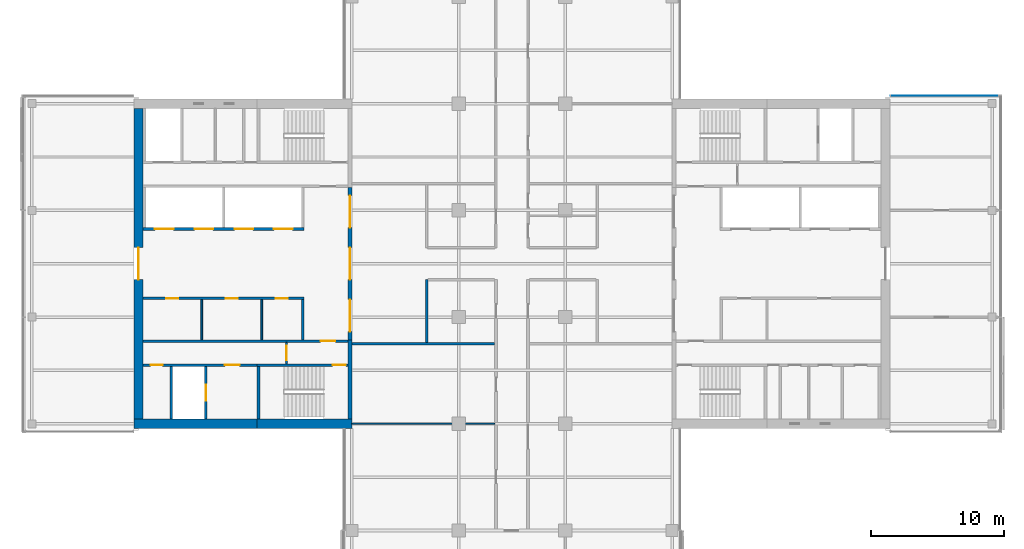
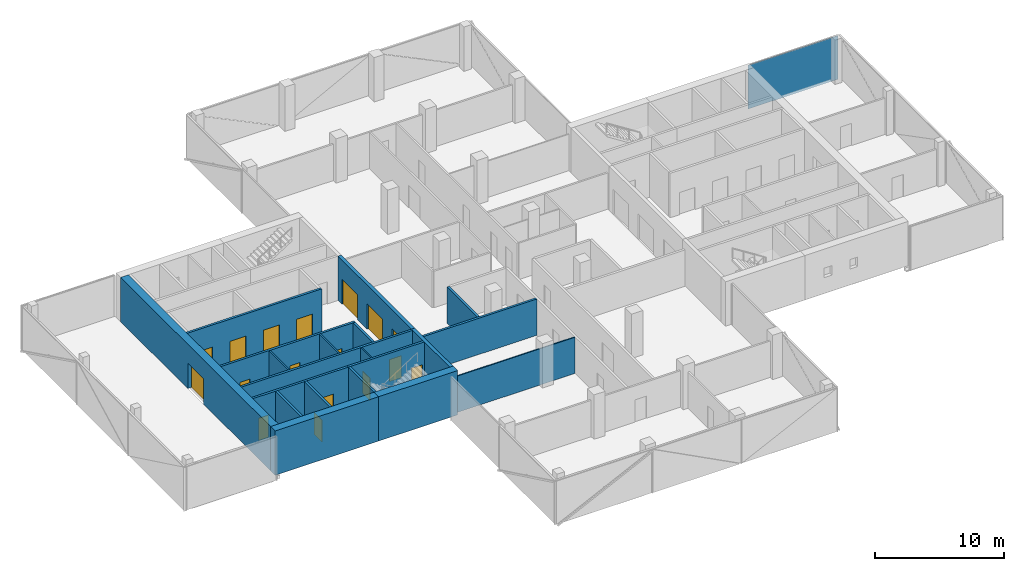
# One storey, part 13 of 22: 20 walls, 17 doors, 1 plate, 17 openings, 1 element without a shape of its own.
"""IFC4 building model written with IfcOpenShell, lengths in metres."""

from ifc_helpers import new_model, si_unit, direction, frame, frame_2d, origin, place, context, subcontext, project, spatial, polyline, rectangle, outline, extrude, material, layer, layer_set, constituent, constituent_set, type_object, element, fill, aggregate, save


model = new_model("IFC4")

# Units and contexts
model_context = context("Model", 3, precision=1e-05, world=origin(), true_north=direction((0.0, 1.0)))
body_context = subcontext(model_context, "Body", "Model", "MODEL_VIEW")
ifc_project = project(units=[si_unit("LENGTHUNIT", "METRE"), si_unit("AREAUNIT", "SQUARE_METRE"), si_unit("VOLUMEUNIT", "CUBIC_METRE"), si_unit("PLANEANGLEUNIT", "RADIAN"), si_unit("MASSUNIT", "GRAM", prefix="KILO")], contexts=[model_context])

# Site, building, storey
site_placement = place(None, origin())
site = spatial("IfcSite", under=ifc_project, at=site_placement, CompositionType="ELEMENT")
building_placement = place(site_placement, origin())
building = spatial("IfcBuilding", under=site, at=building_placement, Name="Crosswind Convention Tower", CompositionType="ELEMENT")
storey_placement = place(building_placement, frame((0.0, 0.0, 146.300048828125)))
storey = spatial("IfcBuildingStorey", under=building, at=storey_placement, Name="L30", CompositionType="ELEMENT", Elevation=146.300048828125)

# Curtain wall, plate
ifc_material_1 = material(Name="Aluminium unitised curtain wall", Category="aluminium")
curtain_wall_type = type_object("IfcCurtainWallType", Name="CORE END SLOT WALL 160", PredefinedType="USERDEFINED", material=ifc_material_1)
curtain_wall_placement = place(storey_placement, origin())
curtain_wall = element("IfcCurtainWall", 1, at=curtain_wall_placement, inside=storey, type_object=curtain_wall_type, Name="CW6 L30 E-N.1-1 slot", ObjectType="UNITISED", PredefinedType="USERDEFINED")
ifc_material_2 = material(Name="Laminated insulating glass unit", Category="glass")
ifc_layer_1 = layer(ifc_material_2, 0.02587890625)
ifc_layer_set_1 = layer_set([ifc_layer_1], Name="TRIANGULAR GLASS PANEL 26")
plate_type = type_object("IfcPlateType", Name="TRIANGULAR GLASS PANEL 26", PredefinedType="CURTAIN_PANEL", material=ifc_layer_set_1)
plate_placement = place(storey_placement, frame((161.449951171875, 112.60693359375, -0.300048828125), z_axis=(0.0, 0.999999915205, 0.00041181312), x_axis=(-1.0, 0.0, 0.0)))
plate = element("IfcPlate", 2, at=plate_placement, type_object=plate_type, Name="CW6 panel 1.1", PredefinedType="CURTAIN_PANEL", context=body_context, shape_type="SweptSolid", body=[
    extrude(outline(polyline([(0.0, 0.0), (8.050048828125, 0.0), (8.050048828125, 4.149902695641108), (0.0, 4.149902695641108), (0.0, 0.0)])), origin(), (0.0, 0.0, -1.0), 0.02587890625),
])
aggregate(curtain_wall, [plate])

# Walls
ifc_material_3 = material(Name="Concrete blockwork", Category="masonry")
ifc_layer_2 = layer(ifc_material_3, 0.199951171875)
ifc_layer_set_2 = layer_set([ifc_layer_2], Name="COMPARTMENT WALL 200 BLOCKWORK")
wall_type_1 = type_object("IfcWallType", Name="COMPARTMENT WALL 200 BLOCKWORK", PredefinedType="SOLIDWALL", material=ifc_layer_set_2)
wall_1_placement = place(storey_placement, frame((118.60009765625, 94.10009765625, 0.0), z_axis=(0.0, 0.0, 1.0), x_axis=(0.0, 1.0, 0.0)))
element("IfcWall", 3, at=wall_1_placement, inside=storey, type_object=wall_type_1, Name="Compartment wall WT42", PredefinedType="SOLIDWALL", context=body_context, shape_type="SweptSolid", body=[
    extrude(rectangle(XDim=4.699951171875, YDim=0.199951171875, at=frame_2d((2.35009765625, 0.0))), origin(), (0.0, 0.0, 1.0), 3.436279296875),
])
wall_2_placement = place(storey_placement, frame((113.0, 94.0, 0.0), z_axis=(0.0, 0.0, 1.0), x_axis=(1.0, 0.0, 0.0)))
element("IfcWall", 4, at=wall_2_placement, inside=storey, type_object=wall_type_1, Name="Compartment wall WT42", PredefinedType="SOLIDWALL", context=body_context, shape_type="SweptSolid", body=[
    extrude(rectangle(XDim=10.699951171875, YDim=0.199951171875, at=frame_2d((5.35009765625, 0.0))), origin(), (0.0, 0.0, 1.0), 3.436279296875),
])

# Wall, opening, door
ifc_material_4 = material(Name="Concrete C60/75", Category="concrete")
ifc_layer_3 = layer(ifc_material_4, 0.699951171875)
ifc_layer_set_3 = layer_set([ifc_layer_3], Name="Concrete C60/75")
wall_type_2 = type_object("IfcWallType", Name="Concrete core wall 700", PredefinedType="SHEAR", material=ifc_layer_set_3)
wall_3_placement = place(storey_placement, frame((97.0, 111.64990234375, 0.0), z_axis=(0.0, 0.0, 1.0), x_axis=(0.0, -1.0, 0.0)))
wall_3 = element("IfcWall", 5, at=wall_3_placement, inside=storey, type_object=wall_type_2, Name="Wall O W L30", PredefinedType="SHEAR", context=body_context, shape_type="SweptSolid", body=[
    extrude(rectangle(XDim=23.2998046875, YDim=0.699951171875, at=frame_2d((11.64990234375, 0.0))), origin(), (0.0, 0.0, 1.0), 4.199951171875),
])
opening_1_placement = place(wall_3_placement, frame((10.449951171875, 0.0, 0.0)))
opening_1 = element("IfcOpeningElement", 6, at=opening_1_placement, cuts=wall_3, Name="Opening D100", PredefinedType="OPENING", context=body_context, shape_type="SweptSolid", body=[
    extrude(rectangle(XDim=2.39990234375, YDim=2.39990234375, at=frame_2d((1.199951171875, 1.199951171875))), frame((0.0, 0.35986328125, 0.0), z_axis=(0.0, -1.0, 0.0), x_axis=(1.0, 0.0, 0.0)), (0.0, 0.0, 1.0), 0.719970703125),
])
ifc_material_5 = material(Name="Steel fire door with glazed vision panels", Category="steel")
door_type_1 = type_object("IfcDoorType", Name="Fire-rated double door 2400x2400", OperationType="DOUBLE_DOOR_SINGLE_SWING", PredefinedType="DOOR", material=ifc_material_5)
door_1_placement = place(opening_1_placement, frame((2.39990234375, 0.0, 0.0), z_axis=(0.0, 0.0, 1.0), x_axis=(-1.0, 0.0, 0.0)))
door_1 = element("IfcDoor", 7, at=door_1_placement, inside=storey, type_object=door_type_1, Name="Lobby outer door L30", ObjectType="D100", OperationType="DOUBLE_DOOR_SINGLE_SWING", OverallHeight=2.39990234375, OverallWidth=2.39990234375, PredefinedType="DOOR", context=body_context, shape_type="SweptSolid", body=[
    extrude(rectangle(XDim=2.39990234375, YDim=2.39990234375, at=frame_2d((1.199951171875, 1.199951171875))), frame((0.0, 0.02490234375, 0.0), z_axis=(0.0, -1.0, 0.0), x_axis=(1.0, 0.0, 0.0)), (0.0, 0.0, 1.0), 0.050048828125),
])
fill(opening_1, door_1)

# Wall, openings, doors
ifc_material_6 = material(Name="Concrete C50/60", Category="concrete")
ifc_layer_4 = layer(ifc_material_6, 0.300048828125)
ifc_layer_set_4 = layer_set([ifc_layer_4], Name="Concrete C50/60")
wall_type_3 = type_object("IfcWallType", Name="Concrete inner core wall 300", PredefinedType="SHEAR", material=ifc_layer_set_4)
wall_4_placement = place(storey_placement, frame((112.85009765625, 105.699951171875, 0.0), z_axis=(0.0, 0.0, 1.0), x_axis=(0.0, -1.0, 0.0)))
wall_4 = element("IfcWall", 8, at=wall_4_placement, inside=storey, type_object=wall_type_3, Name="Wall SCR W L30", PredefinedType="SHEAR", context=body_context, shape_type="SweptSolid", body=[
    extrude(rectangle(XDim=11.39990234375, YDim=0.300048828125, at=frame_2d((5.699951171875, 0.0))), origin(), (0.0, 0.0, 1.0), 4.199951171875),
])
opening_2_placement = place(wall_4_placement, frame((0.60009765625, 0.0, 0.0)))
opening_2 = element("IfcOpeningElement", 9, at=opening_2_placement, cuts=wall_4, Name="Opening D100", PredefinedType="OPENING", context=body_context, shape_type="SweptSolid", body=[
    extrude(rectangle(XDim=2.39990234375, YDim=2.39990234375, at=frame_2d((1.199951171875, 1.199951171875))), frame((0.0, 0.159912109375, 0.0), z_axis=(0.0, -1.0, 0.0), x_axis=(1.0, 0.0, 0.0)), (0.0, 0.0, 1.0), 0.320068359375),
])
opening_3_placement = place(wall_4_placement, frame((4.5, 0.0, 0.0)))
opening_3 = element("IfcOpeningElement", 10, at=opening_3_placement, cuts=wall_4, Name="Opening D100", PredefinedType="OPENING", context=body_context, shape_type="SweptSolid", body=[
    extrude(rectangle(XDim=2.39990234375, YDim=2.39990234375, at=frame_2d((1.199951171875, 1.199951171875))), frame((0.0, 0.159912109375, 0.0), z_axis=(0.0, -1.0, 0.0), x_axis=(1.0, 0.0, 0.0)), (0.0, 0.0, 1.0), 0.320068359375),
])
opening_4_placement = place(wall_4_placement, frame((8.39990234375, 0.0, 0.0)))
opening_4 = element("IfcOpeningElement", 11, at=opening_4_placement, cuts=wall_4, Name="Opening D100", PredefinedType="OPENING", context=body_context, shape_type="SweptSolid", body=[
    extrude(rectangle(XDim=2.39990234375, YDim=2.39990234375, at=frame_2d((1.199951171875, 1.199951171875))), frame((0.0, 0.159912109375, 0.0), z_axis=(0.0, -1.0, 0.0), x_axis=(1.0, 0.0, 0.0)), (0.0, 0.0, 1.0), 0.320068359375),
])
door_2_placement = place(opening_2_placement, origin())
door_2 = element("IfcDoor", 12, at=door_2_placement, inside=storey, type_object=door_type_1, Name="Lobby door 1 L30", ObjectType="D100", OperationType="DOUBLE_DOOR_SINGLE_SWING", OverallHeight=2.39990234375, OverallWidth=2.39990234375, PredefinedType="DOOR", context=body_context, shape_type="SweptSolid", body=[
    extrude(rectangle(XDim=2.39990234375, YDim=2.39990234375, at=frame_2d((1.199951171875, 1.199951171875))), frame((0.0, 0.02490234375, 0.0), z_axis=(0.0, -1.0, 0.0), x_axis=(1.0, 0.0, 0.0)), (0.0, 0.0, 1.0), 0.050048828125),
])
fill(opening_2, door_2)
door_3_placement = place(opening_3_placement, origin())
door_3 = element("IfcDoor", 13, at=door_3_placement, inside=storey, type_object=door_type_1, Name="Lobby door 2 L30", ObjectType="D100", OperationType="DOUBLE_DOOR_SINGLE_SWING", OverallHeight=2.39990234375, OverallWidth=2.39990234375, PredefinedType="DOOR", context=body_context, shape_type="SweptSolid", body=[
    extrude(rectangle(XDim=2.39990234375, YDim=2.39990234375, at=frame_2d((1.199951171875, 1.199951171875))), frame((0.0, 0.02490234375, 0.0), z_axis=(0.0, -1.0, 0.0), x_axis=(1.0, 0.0, 0.0)), (0.0, 0.0, 1.0), 0.050048828125),
])
fill(opening_3, door_3)
door_4_placement = place(opening_4_placement, origin())
door_4 = element("IfcDoor", 14, at=door_4_placement, inside=storey, type_object=door_type_1, Name="Lobby door 3 L30", ObjectType="D100", OperationType="DOUBLE_DOOR_SINGLE_SWING", OverallHeight=2.39990234375, OverallWidth=2.39990234375, PredefinedType="DOOR", context=body_context, shape_type="SweptSolid", body=[
    extrude(rectangle(XDim=2.39990234375, YDim=2.39990234375, at=frame_2d((1.199951171875, 1.199951171875))), frame((0.0, 0.02490234375, 0.0), z_axis=(0.0, -1.0, 0.0), x_axis=(1.0, 0.0, 0.0)), (0.0, 0.0, 1.0), 0.050048828125),
])
fill(opening_4, door_4)

# Walls
wall_5_placement = place(storey_placement, frame((112.85009765625, 94.300048828125, 0.0), z_axis=(0.0, 0.0, 1.0), x_axis=(0.0, -1.0, 0.0)))
element("IfcWall", 15, at=wall_5_placement, inside=storey, type_object=wall_type_3, Name="Wall EP W L30", PredefinedType="SHEAR", context=body_context, shape_type="SweptSolid", body=[
    extrude(rectangle(XDim=5.949951171875, YDim=0.300048828125, at=frame_2d((2.97509765625, 0.0))), origin(), (0.0, 0.0, 1.0), 4.199951171875),
])
ifc_layer_5 = layer(ifc_material_6, 0.199951171875)
ifc_layer_set_5 = layer_set([ifc_layer_5], Name="Concrete C50/60")
wall_type_4 = type_object("IfcWallType", Name="Concrete shaft and stair wall 200", PredefinedType="SHEAR", material=ifc_layer_set_5)
wall_6_placement = place(storey_placement, frame((109.300048828125, 97.300048828125, 0.0), z_axis=(0.0, 0.0, 1.0), x_axis=(0.0, -1.0, 0.0)))
element("IfcWall", 16, at=wall_6_placement, inside=storey, type_object=wall_type_4, Name="Wall RPEND W L30", PredefinedType="SHEAR", context=body_context, shape_type="SweptSolid", body=[
    extrude(rectangle(XDim=3.0, YDim=0.199951171875, at=frame_2d((1.5, 0.0))), origin(), (0.0, 0.0, 1.0), 4.199951171875),
])

# Wall, openings, doors
wall_7_placement = place(storey_placement, frame((109.39990234375, 97.39990234375, 0.0), z_axis=(0.0, 0.0, 1.0), x_axis=(-1.0, 0.0, 0.0)))
wall_7 = element("IfcWall", 17, at=wall_7_placement, inside=storey, type_object=wall_type_4, Name="Wall RPFRONT W L30", PredefinedType="SHEAR", context=body_context, shape_type="SweptSolid", body=[
    extrude(rectangle(XDim=12.0498046875, YDim=0.199951171875, at=frame_2d((6.02490234375, 0.0))), origin(), (0.0, 0.0, 1.0), 4.199951171875),
])
opening_5_placement = place(wall_7_placement, frame((1.199951171875, 0.0, 0.0)))
opening_5 = element("IfcOpeningElement", 18, at=opening_5_placement, cuts=wall_7, Name="Opening D106", PredefinedType="OPENING", context=body_context, shape_type="SweptSolid", body=[
    extrude(rectangle(XDim=0.89990234375, YDim=2.10009765625, at=frame_2d((0.449951171875, 1.050048828125))), frame((0.0, 0.10986328125, 0.0), z_axis=(0.0, -1.0, 0.0), x_axis=(1.0, 0.0, 0.0)), (0.0, 0.0, 1.0), 0.219970703125),
])
opening_6_placement = place(wall_7_placement, frame((4.964111328125, 0.0, 0.0)))
opening_6 = element("IfcOpeningElement", 19, at=opening_6_placement, cuts=wall_7, Name="Opening D106", PredefinedType="OPENING", context=body_context, shape_type="SweptSolid", body=[
    extrude(rectangle(XDim=0.89990234375, YDim=2.10009765625, at=frame_2d((0.449951171875, 1.050048828125))), frame((0.0, 0.10986328125, 0.0), z_axis=(0.0, -1.0, 0.0), x_axis=(1.0, 0.0, 0.0)), (0.0, 0.0, 1.0), 0.219970703125),
])
opening_7_placement = place(wall_7_placement, frame((9.43896484375, 0.0, 0.0)))
opening_7 = element("IfcOpeningElement", 20, at=opening_7_placement, cuts=wall_7, Name="Opening D106", PredefinedType="OPENING", context=body_context, shape_type="SweptSolid", body=[
    extrude(rectangle(XDim=0.89990234375, YDim=2.10009765625, at=frame_2d((0.449951171875, 1.050048828125))), frame((0.0, 0.10986328125, 0.0), z_axis=(0.0, -1.0, 0.0), x_axis=(1.0, 0.0, 0.0)), (0.0, 0.0, 1.0), 0.219970703125),
])
ifc_material_7 = material(Name="Timber door", Category="wood")
door_type_2 = type_object("IfcDoorType", Name="Single leaf door 900x2100", OperationType="NOTDEFINED", PredefinedType="DOOR", material=ifc_material_7)
door_5_placement = place(opening_5_placement, origin())
door_5 = element("IfcDoor", 21, at=door_5_placement, inside=storey, type_object=door_type_2, Name="Door to meeting room L30", ObjectType="D106", OperationType="SINGLE_SWING_RIGHT", OverallHeight=2.10009765625, OverallWidth=0.89990234375, PredefinedType="DOOR", context=body_context, shape_type="SweptSolid", body=[
    extrude(rectangle(XDim=0.89990234375, YDim=2.10009765625, at=frame_2d((0.449951171875, 1.050048828125))), frame((0.0, 0.02490234375, 0.0), z_axis=(0.0, -1.0, 0.0), x_axis=(1.0, 0.0, 0.0)), (0.0, 0.0, 1.0), 0.050048828125),
])
fill(opening_5, door_5)
door_6_placement = place(opening_6_placement, origin())
door_6 = element("IfcDoor", 22, at=door_6_placement, inside=storey, type_object=door_type_2, Name="Door to pantry L30", ObjectType="D106", OperationType="SINGLE_SWING_RIGHT", OverallHeight=2.10009765625, OverallWidth=0.89990234375, PredefinedType="DOOR", context=body_context, shape_type="SweptSolid", body=[
    extrude(rectangle(XDim=0.89990234375, YDim=2.10009765625, at=frame_2d((0.449951171875, 1.050048828125))), frame((0.0, 0.02490234375, 0.0), z_axis=(0.0, -1.0, 0.0), x_axis=(1.0, 0.0, 0.0)), (0.0, 0.0, 1.0), 0.050048828125),
])
fill(opening_6, door_6)
door_7_placement = place(opening_7_placement, origin())
door_7 = element("IfcDoor", 23, at=door_7_placement, inside=storey, type_object=door_type_2, Name="Door to telecoms room L30", ObjectType="D106", OperationType="SINGLE_SWING_RIGHT", OverallHeight=2.10009765625, OverallWidth=0.89990234375, PredefinedType="DOOR", context=body_context, shape_type="SweptSolid", body=[
    extrude(rectangle(XDim=0.89990234375, YDim=2.10009765625, at=frame_2d((0.449951171875, 1.050048828125))), frame((0.0, 0.02490234375, 0.0), z_axis=(0.0, -1.0, 0.0), x_axis=(1.0, 0.0, 0.0)), (0.0, 0.0, 1.0), 0.050048828125),
])
fill(opening_7, door_7)

wall_8_placement = place(storey_placement, frame((109.39990234375, 102.60009765625, 0.0), z_axis=(0.0, 0.0, 1.0), x_axis=(-1.0, 0.0, 0.0)))
wall_8 = element("IfcWall", 24, at=wall_8_placement, inside=storey, type_object=wall_type_4, Name="Wall RMFRONT W L30", PredefinedType="SHEAR", context=body_context, shape_type="SweptSolid", body=[
    extrude(rectangle(XDim=12.0498046875, YDim=0.199951171875, at=frame_2d((6.02490234375, 0.0))), origin(), (0.0, 0.0, 1.0), 4.199951171875),
])
opening_8_placement = place(wall_8_placement, frame((0.85009765625, 0.0, 0.0)))
opening_8 = element("IfcOpeningElement", 25, at=opening_8_placement, cuts=wall_8, Name="Opening LD2", PredefinedType="OPENING", context=body_context, shape_type="SweptSolid", body=[
    extrude(rectangle(XDim=1.39990234375, YDim=2.10009765625, at=frame_2d((0.699951171875, 1.050048828125))), frame((0.0, 0.10986328125, 0.0), z_axis=(0.0, -1.0, 0.0), x_axis=(1.0, 0.0, 0.0)), (0.0, 0.0, 1.0), 0.219970703125),
])
opening_9_placement = place(wall_8_placement, frame((3.800048828125, 0.0, 0.0)))
opening_9 = element("IfcOpeningElement", 26, at=opening_9_placement, cuts=wall_8, Name="Opening LD2", PredefinedType="OPENING", context=body_context, shape_type="SweptSolid", body=[
    extrude(rectangle(XDim=1.39990234375, YDim=2.10009765625, at=frame_2d((0.699951171875, 1.050048828125))), frame((0.0, 0.10986328125, 0.0), z_axis=(0.0, -1.0, 0.0), x_axis=(1.0, 0.0, 0.0)), (0.0, 0.0, 1.0), 0.219970703125),
])
opening_10_placement = place(wall_8_placement, frame((6.800048828125, 0.0, 0.0)))
opening_10 = element("IfcOpeningElement", 27, at=opening_10_placement, cuts=wall_8, Name="Opening LD2", PredefinedType="OPENING", context=body_context, shape_type="SweptSolid", body=[
    extrude(rectangle(XDim=1.39990234375, YDim=2.10009765625, at=frame_2d((0.699951171875, 1.050048828125))), frame((0.0, 0.10986328125, 0.0), z_axis=(0.0, -1.0, 0.0), x_axis=(1.0, 0.0, 0.0)), (0.0, 0.0, 1.0), 0.219970703125),
])
opening_11_placement = place(wall_8_placement, frame((9.77490234375, 0.0, 0.0)))
opening_11 = element("IfcOpeningElement", 28, at=opening_11_placement, cuts=wall_8, Name="Opening LD2", PredefinedType="OPENING", context=body_context, shape_type="SweptSolid", body=[
    extrude(rectangle(XDim=1.39990234375, YDim=2.10009765625, at=frame_2d((0.699951171875, 1.050048828125))), frame((0.0, 0.10986328125, 0.0), z_axis=(0.0, -1.0, 0.0), x_axis=(1.0, 0.0, 0.0)), (0.0, 0.0, 1.0), 0.219970703125),
])
ifc_material_8 = material(Name="Stainless steel", Category="steel")
door_type_3 = type_object("IfcDoorType", Name="Lift landing door 1400x2100", OperationType="DOUBLE_DOOR_SLIDING", PredefinedType="DOOR", material=ifc_material_8)
door_8_placement = place(opening_8_placement, origin())
door_8 = element("IfcDoor", 29, at=door_8_placement, inside=storey, type_object=door_type_3, Name="Landing door A5 L30", ObjectType="LD2", OperationType="DOUBLE_DOOR_SLIDING", OverallHeight=2.10009765625, OverallWidth=1.39990234375, PredefinedType="DOOR", context=body_context, shape_type="SweptSolid", body=[
    extrude(rectangle(XDim=1.39990234375, YDim=2.10009765625, at=frame_2d((0.699951171875, 1.050048828125))), frame((0.0, 0.02490234375, 0.0), z_axis=(0.0, -1.0, 0.0), x_axis=(1.0, 0.0, 0.0)), (0.0, 0.0, 1.0), 0.050048828125),
])
fill(opening_8, door_8)
door_9_placement = place(opening_9_placement, origin())
door_9 = element("IfcDoor", 30, at=door_9_placement, inside=storey, type_object=door_type_3, Name="Landing door A6 L30", ObjectType="LD2", OperationType="DOUBLE_DOOR_SLIDING", OverallHeight=2.10009765625, OverallWidth=1.39990234375, PredefinedType="DOOR", context=body_context, shape_type="SweptSolid", body=[
    extrude(rectangle(XDim=1.39990234375, YDim=2.10009765625, at=frame_2d((0.699951171875, 1.050048828125))), frame((0.0, 0.02490234375, 0.0), z_axis=(0.0, -1.0, 0.0), x_axis=(1.0, 0.0, 0.0)), (0.0, 0.0, 1.0), 0.050048828125),
])
fill(opening_9, door_9)
door_10_placement = place(opening_10_placement, origin())
door_10 = element("IfcDoor", 31, at=door_10_placement, inside=storey, type_object=door_type_3, Name="Landing door A7 L30", ObjectType="LD2", OperationType="DOUBLE_DOOR_SLIDING", OverallHeight=2.10009765625, OverallWidth=1.39990234375, PredefinedType="DOOR", context=body_context, shape_type="SweptSolid", body=[
    extrude(rectangle(XDim=1.39990234375, YDim=2.10009765625, at=frame_2d((0.699951171875, 1.050048828125))), frame((0.0, 0.02490234375, 0.0), z_axis=(0.0, -1.0, 0.0), x_axis=(1.0, 0.0, 0.0)), (0.0, 0.0, 1.0), 0.050048828125),
])
fill(opening_10, door_10)
door_11_placement = place(opening_11_placement, origin())
door_11 = element("IfcDoor", 32, at=door_11_placement, inside=storey, type_object=door_type_3, Name="Landing door A8 L30", ObjectType="LD2", OperationType="DOUBLE_DOOR_SLIDING", OverallHeight=2.10009765625, OverallWidth=1.39990234375, PredefinedType="DOOR", context=body_context, shape_type="SweptSolid", body=[
    extrude(rectangle(XDim=1.39990234375, YDim=2.10009765625, at=frame_2d((0.699951171875, 1.050048828125))), frame((0.0, 0.02490234375, 0.0), z_axis=(0.0, -1.0, 0.0), x_axis=(1.0, 0.0, 0.0)), (0.0, 0.0, 1.0), 0.050048828125),
])
fill(opening_11, door_11)

# Wall, opening, door
wall_9_placement = place(storey_placement, frame((112.699951171875, 94.199951171875, 0.0), z_axis=(0.0, 0.0, 1.0), x_axis=(-1.0, 0.0, 0.0)))
wall_9 = element("IfcWall", 33, at=wall_9_placement, inside=storey, type_object=wall_type_4, Name="Wall HP W L30", PredefinedType="SHEAR", context=body_context, shape_type="SweptSolid", body=[
    extrude(rectangle(XDim=15.349853515625, YDim=0.199951171875, at=frame_2d((7.6748046875, 0.0))), origin(), (0.0, 0.0, 1.0), 4.199951171875),
])
opening_12_placement = place(wall_9_placement, frame((0.949951171875, 0.0, 0.0)))
opening_12 = element("IfcOpeningElement", 34, at=opening_12_placement, cuts=wall_9, Name="Opening D104", PredefinedType="OPENING", context=body_context, shape_type="SweptSolid", body=[
    extrude(rectangle(XDim=1.10009765625, YDim=2.10009765625, at=frame_2d((0.550048828125, 1.050048828125))), frame((0.0, 0.10986328125, 0.0), z_axis=(0.0, -1.0, 0.0), x_axis=(1.0, 0.0, 0.0)), (0.0, 0.0, 1.0), 0.219970703125),
])
ifc_material_9 = material(Name="Steel fire door", Category="steel")
door_type_4 = type_object("IfcDoorType", Name="Fire-rated single door 1100x2100", OperationType="NOTDEFINED", PredefinedType="DOOR", material=ifc_material_9)
door_12_placement = place(opening_12_placement, origin())
door_12 = element("IfcDoor", 35, at=door_12_placement, inside=storey, type_object=door_type_4, Name="Corridor door L30", ObjectType="D104", OperationType="SINGLE_SWING_LEFT", OverallHeight=2.10009765625, OverallWidth=1.10009765625, PredefinedType="DOOR", context=body_context, shape_type="SweptSolid", body=[
    extrude(rectangle(XDim=1.10009765625, YDim=2.10009765625, at=frame_2d((0.550048828125, 1.050048828125))), frame((0.0, 0.02490234375, 0.0), z_axis=(0.0, -1.0, 0.0), x_axis=(1.0, 0.0, 0.0)), (0.0, 0.0, 1.0), 0.050048828125),
])
fill(opening_12, door_12)

# Wall
wall_10_placement = place(storey_placement, frame((106.0, 92.300048828125, 0.0), z_axis=(0.0, 0.0, 1.0), x_axis=(0.0, -1.0, 0.0)))
element("IfcWall", 36, at=wall_10_placement, inside=storey, type_object=wall_type_4, Name="Wall PSE W L30", PredefinedType="SHEAR", context=body_context, shape_type="SweptSolid", body=[
    extrude(rectangle(XDim=3.949951171875, YDim=0.199951171875, at=frame_2d((1.97509765625, 0.0))), origin(), (0.0, 0.0, 1.0), 4.199951171875),
])

# Wall, opening, door
wall_11_placement = place(storey_placement, frame((102.050048828125, 92.300048828125, 0.0), z_axis=(0.0, 0.0, 1.0), x_axis=(0.0, -1.0, 0.0)))
wall_11 = element("IfcWall", 37, at=wall_11_placement, inside=storey, type_object=wall_type_4, Name="Wall PFLW W L30", PredefinedType="SHEAR", context=body_context, shape_type="SweptSolid", body=[
    extrude(rectangle(XDim=3.949951171875, YDim=0.199951171875, at=frame_2d((1.97509765625, 0.0))), origin(), (0.0, 0.0, 1.0), 4.199951171875),
])
opening_13_placement = place(wall_11_placement, frame((1.375, 0.0, 0.0)))
opening_13 = element("IfcOpeningElement", 38, at=opening_13_placement, cuts=wall_11, Name="Opening LD1", PredefinedType="OPENING", context=body_context, shape_type="SweptSolid", body=[
    extrude(rectangle(XDim=1.199951171875, YDim=2.10009765625, at=frame_2d((0.60009765625, 1.050048828125))), frame((0.0, 0.10986328125, 0.0), z_axis=(0.0, -1.0, 0.0), x_axis=(1.0, 0.0, 0.0)), (0.0, 0.0, 1.0), 0.219970703125),
])
door_type_5 = type_object("IfcDoorType", Name="Lift landing door 1200x2100", OperationType="DOUBLE_DOOR_SLIDING", PredefinedType="DOOR", material=ifc_material_8)
door_13_placement = place(opening_13_placement, origin())
door_13 = element("IfcDoor", 39, at=door_13_placement, inside=storey, type_object=door_type_5, Name="Landing door FF2 L30", ObjectType="LD1", OperationType="DOUBLE_DOOR_SLIDING", OverallHeight=2.10009765625, OverallWidth=1.199951171875, PredefinedType="DOOR", context=body_context, shape_type="SweptSolid", body=[
    extrude(rectangle(XDim=1.199951171875, YDim=2.10009765625, at=frame_2d((0.60009765625, 1.050048828125))), frame((0.0, 0.02490234375, 0.0), z_axis=(0.0, -1.0, 0.0), x_axis=(1.0, 0.0, 0.0)), (0.0, 0.0, 1.0), 0.050048828125),
])
fill(opening_13, door_13)

# Wall
wall_12_placement = place(storey_placement, frame((99.449951171875, 92.300048828125, 0.0), z_axis=(0.0, 0.0, 1.0), x_axis=(0.0, -1.0, 0.0)))
element("IfcWall", 40, at=wall_12_placement, inside=storey, type_object=wall_type_4, Name="Wall PFSE W L30", PredefinedType="SHEAR", context=body_context, shape_type="SweptSolid", body=[
    extrude(rectangle(XDim=3.949951171875, YDim=0.199951171875, at=frame_2d((1.97509765625, 0.0))), origin(), (0.0, 0.0, 1.0), 4.199951171875),
])

# Wall, opening, door
wall_13_placement = place(storey_placement, frame((112.699951171875, 92.39990234375, 0.0), z_axis=(0.0, 0.0, 1.0), x_axis=(-1.0, 0.0, 0.0)))
wall_13 = element("IfcWall", 41, at=wall_13_placement, inside=storey, type_object=wall_type_4, Name="Wall PCW W L30", PredefinedType="SHEAR", context=body_context, shape_type="SweptSolid", body=[
    extrude(rectangle(XDim=6.800048828125, YDim=0.199951171875, at=frame_2d((3.39990234375, 0.0))), origin(), (0.0, 0.0, 1.0), 4.199951171875),
])
opening_14_placement = place(wall_13_placement, frame((0.14990234375, 0.0, 0.0)))
opening_14 = element("IfcOpeningElement", 42, at=opening_14_placement, cuts=wall_13, Name="Opening D103", PredefinedType="OPENING", context=body_context, shape_type="SweptSolid", body=[
    extrude(rectangle(XDim=1.0, YDim=2.10009765625, at=frame_2d((0.5, 1.050048828125))), frame((0.0, 0.10986328125, 0.0), z_axis=(0.0, -1.0, 0.0), x_axis=(1.0, 0.0, 0.0)), (0.0, 0.0, 1.0), 0.219970703125),
])
door_type_6 = type_object("IfcDoorType", Name="Fire-rated single door 1000x2100", OperationType="NOTDEFINED", PredefinedType="DOOR", material=ifc_material_9)
door_14_placement = place(opening_14_placement, origin())
door_14 = element("IfcDoor", 43, at=door_14_placement, inside=storey, type_object=door_type_6, Name="Stair ST3 door L30", ObjectType="D103", OperationType="SINGLE_SWING_LEFT", OverallHeight=2.10009765625, OverallWidth=1.0, PredefinedType="DOOR", context=body_context, shape_type="SweptSolid", body=[
    extrude(rectangle(XDim=1.0, YDim=2.10009765625, at=frame_2d((0.5, 1.050048828125))), frame((0.0, 0.02490234375, 0.0), z_axis=(0.0, -1.0, 0.0), x_axis=(1.0, 0.0, 0.0)), (0.0, 0.0, 1.0), 0.050048828125),
])
fill(opening_14, door_14)

# Wall, openings, doors
wall_14_placement = place(storey_placement, frame((105.89990234375, 92.39990234375, 0.0), z_axis=(0.0, 0.0, 1.0), x_axis=(-1.0, 0.0, 0.0)))
wall_14 = element("IfcWall", 44, at=wall_14_placement, inside=storey, type_object=wall_type_4, Name="Wall PCX W L30", PredefinedType="SHEAR", context=body_context, shape_type="SweptSolid", body=[
    extrude(rectangle(XDim=8.5498046875, YDim=0.199951171875, at=frame_2d((4.27490234375, 0.0))), origin(), (0.0, 0.0, 1.0), 4.199951171875),
])
opening_15_placement = place(wall_14_placement, frame((1.324951171875, 0.0, 0.0)))
opening_15 = element("IfcOpeningElement", 45, at=opening_15_placement, cuts=wall_14, Name="Opening D104", PredefinedType="OPENING", context=body_context, shape_type="SweptSolid", body=[
    extrude(rectangle(XDim=1.10009765625, YDim=2.10009765625, at=frame_2d((0.550048828125, 1.050048828125))), frame((0.0, 0.10986328125, 0.0), z_axis=(0.0, -1.0, 0.0), x_axis=(1.0, 0.0, 0.0)), (0.0, 0.0, 1.0), 0.219970703125),
])
opening_16_placement = place(wall_14_placement, frame((7.10009765625, 0.0, 0.0)))
opening_16 = element("IfcOpeningElement", 46, at=opening_16_placement, cuts=wall_14, Name="Opening D106", PredefinedType="OPENING", context=body_context, shape_type="SweptSolid", body=[
    extrude(rectangle(XDim=0.89990234375, YDim=2.10009765625, at=frame_2d((0.449951171875, 1.050048828125))), frame((0.0, 0.10986328125, 0.0), z_axis=(0.0, -1.0, 0.0), x_axis=(1.0, 0.0, 0.0)), (0.0, 0.0, 1.0), 0.219970703125),
])
door_15_placement = place(opening_15_placement, origin())
door_15 = element("IfcDoor", 47, at=door_15_placement, inside=storey, type_object=door_type_4, Name="Fire-fighting lobby FF2 door L30", ObjectType="D104", OperationType="SINGLE_SWING_RIGHT", OverallHeight=2.10009765625, OverallWidth=1.10009765625, PredefinedType="DOOR", context=body_context, shape_type="SweptSolid", body=[
    extrude(rectangle(XDim=1.10009765625, YDim=2.10009765625, at=frame_2d((0.550048828125, 1.050048828125))), frame((0.0, 0.02490234375, 0.0), z_axis=(0.0, -1.0, 0.0), x_axis=(1.0, 0.0, 0.0)), (0.0, 0.0, 1.0), 0.050048828125),
])
fill(opening_15, door_15)
door_16_placement = place(opening_16_placement, origin())
door_16 = element("IfcDoor", 48, at=door_16_placement, inside=storey, type_object=door_type_2, Name="Door to cleaners' store L30", ObjectType="D106", OperationType="SINGLE_SWING_RIGHT", OverallHeight=2.10009765625, OverallWidth=0.89990234375, PredefinedType="DOOR", context=body_context, shape_type="SweptSolid", body=[
    extrude(rectangle(XDim=0.89990234375, YDim=2.10009765625, at=frame_2d((0.449951171875, 1.050048828125))), frame((0.0, 0.02490234375, 0.0), z_axis=(0.0, -1.0, 0.0), x_axis=(1.0, 0.0, 0.0)), (0.0, 0.0, 1.0), 0.050048828125),
])
fill(opening_16, door_16)

# Walls
ifc_material_10 = material(Name="Gypsum plasterboard partition", Category="gypsum")
ifc_layer_6 = layer(ifc_material_10, 0.125)
ifc_layer_set_6 = layer_set([ifc_layer_6], Name="Drywall partition wall 125")
wall_type_5 = type_object("IfcWallType", Name="Drywall partition wall 125", PredefinedType="PARTITIONING", material=ifc_layer_set_6)
for number, where, z_axis, x_axis, name in (
    (49, (106.237548828125, 97.300048828125, 0.0), (0.0, 0.0, 1.0), (0.0, -1.0, 0.0), "Wall RPP1 W L30"),
    (50, (101.734619140625, 97.300048828125, 0.0), (0.0, 0.0, 1.0), (0.0, -1.0, 0.0), "Wall RPP2 W L30"),
):
    element("IfcWall", number, at=place(storey_placement, frame(where, z_axis=z_axis, x_axis=x_axis)), inside=storey, type_object=wall_type_5, Name=name, PredefinedType="PARTITIONING", context=body_context, shape_type="SweptSolid", body=[
        extrude(rectangle(XDim=3.0, YDim=0.125, at=frame_2d((1.5, 0.0))), origin(), (0.0, 0.0, 1.0), 4.199951171875),
    ])

# Wall, opening, door
wall_15_placement = place(storey_placement, frame((108.10009765625, 94.10009765625, 0.0), z_axis=(0.0, 0.0, 1.0), x_axis=(0.0, -1.0, 0.0)))
wall_15 = element("IfcWall", 51, at=wall_15_placement, inside=storey, type_object=wall_type_5, Name="Wall PXC1 W L30", PredefinedType="PARTITIONING", context=body_context, shape_type="SweptSolid", body=[
    extrude(rectangle(XDim=1.60009765625, YDim=0.125, at=frame_2d((0.800048828125, 0.0))), origin(), (0.0, 0.0, 1.0), 4.199951171875),
])
opening_17_placement = place(wall_15_placement, frame((0.25, 0.0, 0.0)))
opening_17 = element("IfcOpeningElement", 52, at=opening_17_placement, cuts=wall_15, Name="Opening D104", PredefinedType="OPENING", context=body_context, shape_type="SweptSolid", body=[
    extrude(rectangle(XDim=1.10009765625, YDim=2.10009765625, at=frame_2d((0.550048828125, 1.050048828125))), frame((0.0, 0.072509765625, 0.0), z_axis=(0.0, -1.0, 0.0), x_axis=(1.0, 0.0, 0.0)), (0.0, 0.0, 1.0), 0.14501953125),
])
door_17_placement = place(opening_17_placement, origin())
door_17 = element("IfcDoor", 53, at=door_17_placement, inside=storey, type_object=door_type_4, Name="Corridor smoke door L30", ObjectType="D104", OperationType="SINGLE_SWING_RIGHT", OverallHeight=2.10009765625, OverallWidth=1.10009765625, PredefinedType="DOOR", context=body_context, shape_type="SweptSolid", body=[
    extrude(rectangle(XDim=1.10009765625, YDim=2.10009765625, at=frame_2d((0.550048828125, 1.050048828125))), frame((0.0, 0.02490234375, 0.0), z_axis=(0.0, -1.0, 0.0), x_axis=(1.0, 0.0, 0.0)), (0.0, 0.0, 1.0), 0.050048828125),
])
fill(opening_17, door_17)

# Walls
ifc_material_11 = material(Name="Plasterboard partition", Category="gypsum")
ifc_layer_7 = layer(ifc_material_11, 0.10009765625)
ifc_layer_set_7 = layer_set([ifc_layer_7], Name="PARTITION 100 METAL STUD")
wall_type_6 = type_object("IfcWallType", Name="PARTITION 100 METAL STUD", PredefinedType="PARTITIONING", material=ifc_layer_set_7)
wall_16_placement = place(storey_placement, frame((113.0, 88.0, 0.0), z_axis=(0.0, 0.0, 1.0), x_axis=(1.0, 0.0, 0.0)))
element("IfcWall", 54, at=wall_16_placement, inside=storey, type_object=wall_type_6, Name="Partition wall WT40", PredefinedType="PARTITIONING", context=body_context, shape_type="SweptSolid", body=[
    extrude(rectangle(XDim=10.699951171875, YDim=0.10009765625, at=frame_2d((5.35009765625, 0.0))), origin(), (0.0, 0.0, 1.0), 3.436279296875),
])
ifc_constituent_1 = constituent(ifc_material_4, Name="Structure")
ifc_material_12 = material(Name="Terracotta rainscreen", Category="ceramic")
ifc_constituent_2 = constituent(ifc_material_12, Name="Facing")
ifc_constituent_set = constituent_set(constituents=[ifc_constituent_1, ifc_constituent_2], Name="Concrete C60/75, Terracotta rainscreen")
wall_type_7 = type_object("IfcWallType", Name="Terracotta rainscreen on concrete core wall 700", PredefinedType="SHEAR", material=ifc_constituent_set)
wall_17_placement = place(storey_placement, frame((113.0, 88.0, 0.0), z_axis=(0.0, 0.0, 1.0), x_axis=(-1.0, 0.0, 0.0)))
element("IfcWall", 55, at=wall_17_placement, inside=storey, type_object=wall_type_7, Name="Wall N1 W L30", PredefinedType="SHEAR", context=body_context, shape_type="SweptSolid", body=[
    extrude(rectangle(XDim=7.10009765625, YDim=0.699951171875, at=frame_2d((3.550048828125, 0.0))), origin(), (0.0, 0.0, 1.0), 4.199951171875),
])
wall_18_placement = place(storey_placement, frame((105.89990234375, 88.0, 0.0), z_axis=(0.0, 0.0, 1.0), x_axis=(-1.0, 0.0, 0.0)))
element("IfcWall", 56, at=wall_18_placement, inside=storey, type_object=wall_type_7, Name="Wall N2 W L30", PredefinedType="SHEAR", context=body_context, shape_type="SweptSolid", body=[
    extrude(rectangle(XDim=9.25, YDim=0.699951171875, at=frame_2d((4.625, 0.0))), origin(), (0.0, 0.0, 1.0), 4.199951171875),
])

save(model, "model.ifc")
